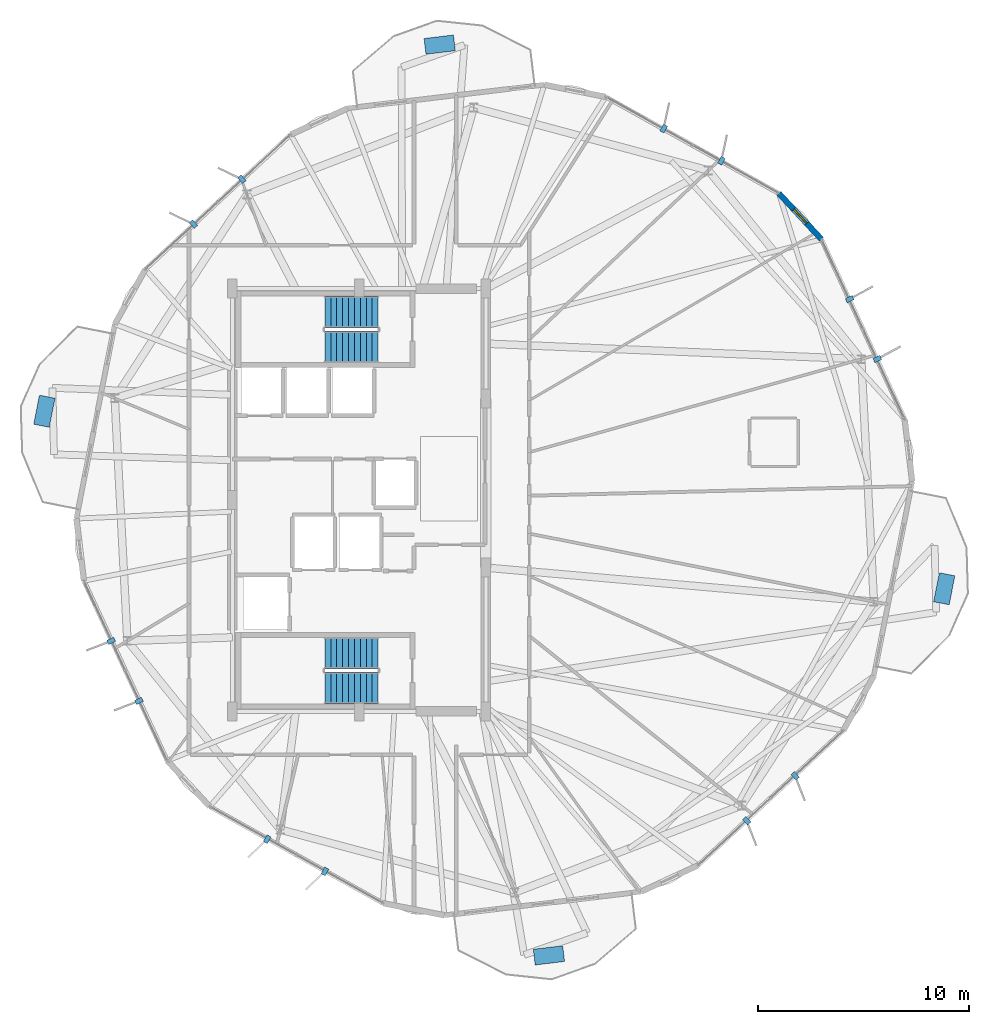
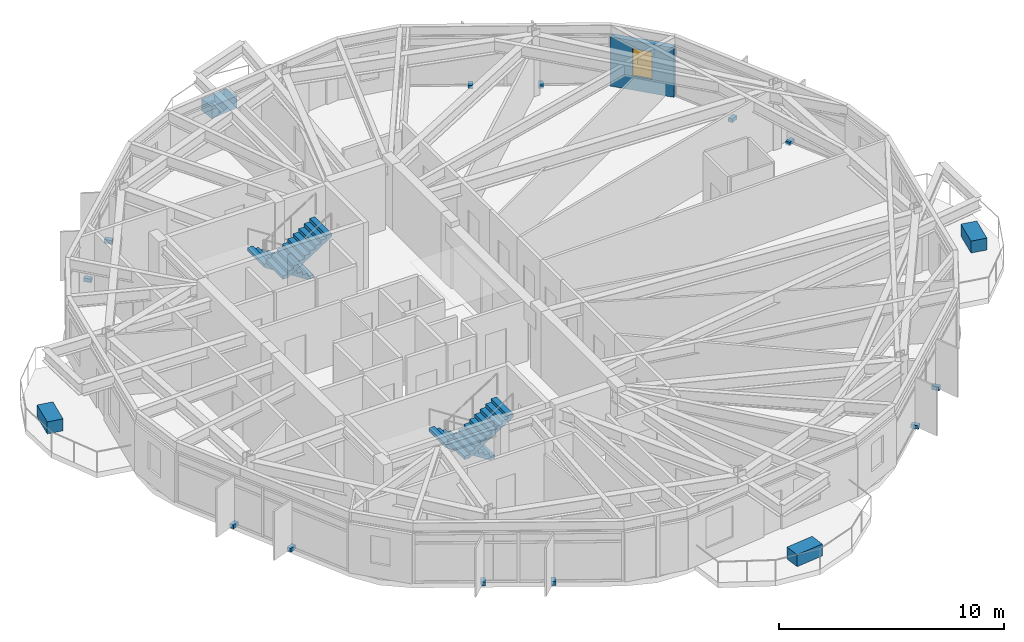
# One storey, part 22 of 25: 16 discrete accessories, 4 stair flights, 1 wall, 1 window, 1 opening, 2 elements without a shape of their own.
"""IFC4 building model written with IfcOpenShell, lengths in metres."""

from ifc_helpers import new_model, si_unit, direction, frame, frame_2d, origin, origin_2d, place, context, subcontext, project, spatial, polyline, rectangle, outline, extrude, material, layer, layer_set, type_object, element, fill, aggregate, save


model = new_model("IFC4")

# Units and contexts
model_context = context("Model", 3, precision=1e-05, world=origin(), true_north=direction((0.0, 1.0)))
body_context = subcontext(model_context, "Body", "Model", "MODEL_VIEW")
ifc_project = project(units=[si_unit("LENGTHUNIT", "METRE"), si_unit("AREAUNIT", "SQUARE_METRE"), si_unit("VOLUMEUNIT", "CUBIC_METRE"), si_unit("PLANEANGLEUNIT", "RADIAN"), si_unit("MASSUNIT", "GRAM", prefix="KILO")], contexts=[model_context])

# Site, building, storey
site_placement = place(None, origin())
site = spatial("IfcSite", under=ifc_project, at=site_placement, CompositionType="ELEMENT")
building_placement = place(site_placement, origin())
building = spatial("IfcBuilding", under=site, at=building_placement, Name="Soratama Intermodal Tower", CompositionType="ELEMENT")
storey_placement = place(building_placement, frame((0.0, 0.0, 190.60009765625)))
storey = spatial("IfcBuildingStorey", under=building, at=storey_placement, Name="L47", CompositionType="ELEMENT", Elevation=190.60009765625)

# Wall, opening, window
ifc_material_1 = material(Name="Concrete f'c 42 MPa", Category="concrete")
ifc_layer_1 = layer(ifc_material_1, 0.27001953125)
ifc_layer_set_1 = layer_set([ifc_layer_1], Name="Concrete f'c 42 MPa")
wall_type = type_object("IfcWallType", Name="EW-CRN-270", PredefinedType="SOLIDWALL", material=ifc_layer_set_1)
wall_placement = place(storey_placement, frame((60.4873046875, 37.338623046875, 0.0), z_axis=(0.0, 0.0, 1.0), x_axis=(-0.679939563614, 0.733268156838, 0.0)))
wall = element("IfcWall", 1, at=wall_placement, inside=storey, type_object=wall_type, Name="L47 Corner Closure Wall 10", PredefinedType="SOLIDWALL", context=body_context, shape_type="SweptSolid", body=[
    extrude(rectangle(XDim=2.966552734375, YDim=0.27001953125, at=frame_2d((1.4833984375, 0.0))), origin(), (0.0, 0.0, 1.0), 2.678955078125),
])
opening_placement = place(wall_placement, frame((1.033203125, 0.0, 0.75)))
opening = element("IfcOpeningElement", 2, at=opening_placement, cuts=wall, Name="Opening WN-6", PredefinedType="OPENING", context=body_context, shape_type="SweptSolid", body=[
    extrude(rectangle(XDim=0.89990234375, YDim=1.5, at=frame_2d((0.449951171875, 0.75))), frame((0.0, 0.14501953125, 0.0), z_axis=(0.0, -1.0, 0.0), x_axis=(1.0, 0.0, 0.0)), (0.0, 0.0, 1.0), 0.2900390625),
])
ifc_material_2 = material(Name="Double-glazed aluminium window", Category="aluminium")
window_type = type_object("IfcWindowType", Name="WN-FAC-900", PartitioningType="SINGLE_PANEL", PredefinedType="WINDOW", material=ifc_material_2)
window_placement = place(opening_placement, origin())
window = element("IfcWindow", 3, at=window_placement, inside=storey, type_object=window_type, Name="L47 Corner Window 10", OverallHeight=1.5, OverallWidth=0.89990234375, PartitioningType="SINGLE_PANEL", PredefinedType="WINDOW", context=body_context, shape_type="SweptSolid", body=[
    extrude(rectangle(XDim=0.89990234375, YDim=1.5, at=frame_2d((0.449951171875, 0.75))), frame((0.0, 0.030029296875, 0.0), z_axis=(0.0, -1.0, 0.0), x_axis=(1.0, 0.0, 0.0)), (0.0, 0.0, 1.0), 0.06005859375),
])
fill(opening, window)

# Stair, stair flights
ifc_material_3 = material(Name="Concrete f'c 42 MPa", Category="concrete")
stair_type = type_object("IfcStairType", Name="ST-CORE-DOGLEG", PredefinedType="HALF_TURN_STAIR", material=ifc_material_3)
stair_1_placement = place(storey_placement, origin())
stair_1 = element("IfcStair", 4, at=stair_1_placement, inside=storey, type_object=stair_type, Name="L47 ST-1", PredefinedType="HALF_TURN_STAIR")
ifc_material_4 = material(Name="Precast concrete f'c 40 MPa", Category="concrete")
ifc_layer_2 = layer(ifc_material_4, 0.199951171875)
ifc_layer_set_2 = layer_set([ifc_layer_2], Name="Precast concrete f'c 40 MPa")
stair_flight_type = type_object("IfcStairFlightType", Name="SF-FLIGHT-RC", PredefinedType="STRAIGHT", material=ifc_layer_set_2)
stair_flight_1_placement = place(storey_placement, frame((39.5, 17.75, 0.0), z_axis=(0.0, 0.0, 1.0), x_axis=(-1.0, 0.0, 0.0)))
stair_flight_1 = element("IfcStairFlight", 5, at=stair_flight_1_placement, type_object=stair_flight_type, Name="ST-1 flight 1", NumberOfRisers=10, NumberOfTreads=9, PredefinedType="STRAIGHT", RiserHeight=0.18, TreadLength=0.28, context=body_context, shape_type="SweptSolid", body=[
    extrude(outline(polyline([(0.0, 0.0), (0.0, 0.179931640625), (0.280029296875, 0.179931640625), (0.280029296875, 0.360107421875), (0.56005859375, 0.360107421875), (0.56005859375, 0.5400390625), (0.840087890625, 0.5400390625), (0.840087890625, 0.719970703125), (1.1201171875, 0.719970703125), (1.1201171875, 0.89990234375), (1.39990234375, 0.89990234375), (1.39990234375, 1.080078125), (1.679931640625, 1.080078125), (1.679931640625, 1.260009765625), (1.9599609375, 1.260009765625), (1.9599609375, 1.43994140625), (2.239990234375, 1.43994140625), (2.239990234375, 1.6201171875), (2.52001953125, 1.6201171875), (2.52001953125, 1.800048828125), (2.52001953125, 1.44189453125), (0.277099609375, 0.0), (0.0, 0.0)])), frame((0.0, 0.75, 0.0), z_axis=(0.0, -1.0, 0.0), x_axis=(1.0, 0.0, 0.0)), (0.0, 0.0, 1.0), 1.5),
])
stair_flight_2_placement = place(storey_placement, frame((36.97998046875, 16.10009765625, 1.7998046875), z_axis=(0.0, 0.0, 1.0), x_axis=(1.0, 0.0, 0.0)))
stair_flight_2 = element("IfcStairFlight", 6, at=stair_flight_2_placement, type_object=stair_flight_type, Name="ST-1 flight 2", NumberOfRisers=10, NumberOfTreads=9, PredefinedType="STRAIGHT", RiserHeight=0.18, TreadLength=0.28, context=body_context, shape_type="SweptSolid", body=[
    extrude(outline(polyline([(0.0, 0.0), (0.0, 0.179931640625), (0.280029296875, 0.179931640625), (0.280029296875, 0.360107421875), (0.56005859375, 0.360107421875), (0.56005859375, 0.5400390625), (0.840087890625, 0.5400390625), (0.840087890625, 0.719970703125), (1.1201171875, 0.719970703125), (1.1201171875, 0.89990234375), (1.39990234375, 0.89990234375), (1.39990234375, 1.080078125), (1.679931640625, 1.080078125), (1.679931640625, 1.260009765625), (1.9599609375, 1.260009765625), (1.9599609375, 1.43994140625), (2.239990234375, 1.43994140625), (2.239990234375, 1.6201171875), (2.52001953125, 1.6201171875), (2.52001953125, 1.800048828125), (2.52001953125, 1.44189453125), (0.277099609375, 0.0), (0.0, 0.0)])), frame((0.0, 0.75, 0.0), z_axis=(0.0, -1.0, 0.0), x_axis=(1.0, 0.0, 0.0)), (0.0, 0.0, 1.0), 1.5),
])
aggregate(stair_1, [stair_flight_1, stair_flight_2])

stair_2_placement = place(storey_placement, origin())
stair_2 = element("IfcStair", 7, at=stair_2_placement, inside=storey, type_object=stair_type, Name="L47 ST-2", PredefinedType="HALF_TURN_STAIR")
stair_flight_3_placement = place(storey_placement, frame((39.5, 33.89990234375, 0.0), z_axis=(0.0, 0.0, 1.0), x_axis=(-1.0, 0.0, 0.0)))
stair_flight_3 = element("IfcStairFlight", 8, at=stair_flight_3_placement, type_object=stair_flight_type, Name="ST-2 flight 1", NumberOfRisers=10, NumberOfTreads=9, PredefinedType="STRAIGHT", RiserHeight=0.18, TreadLength=0.28, context=body_context, shape_type="SweptSolid", body=[
    extrude(outline(polyline([(0.0, 0.0), (0.0, 0.179931640625), (0.280029296875, 0.179931640625), (0.280029296875, 0.360107421875), (0.56005859375, 0.360107421875), (0.56005859375, 0.5400390625), (0.840087890625, 0.5400390625), (0.840087890625, 0.719970703125), (1.1201171875, 0.719970703125), (1.1201171875, 0.89990234375), (1.39990234375, 0.89990234375), (1.39990234375, 1.080078125), (1.679931640625, 1.080078125), (1.679931640625, 1.260009765625), (1.9599609375, 1.260009765625), (1.9599609375, 1.43994140625), (2.239990234375, 1.43994140625), (2.239990234375, 1.6201171875), (2.52001953125, 1.6201171875), (2.52001953125, 1.800048828125), (2.52001953125, 1.44189453125), (0.277099609375, 0.0), (0.0, 0.0)])), frame((0.0, 0.75, 0.0), z_axis=(0.0, -1.0, 0.0), x_axis=(1.0, 0.0, 0.0)), (0.0, 0.0, 1.0), 1.5),
])
stair_flight_4_placement = place(storey_placement, frame((36.97998046875, 32.25, 1.7998046875), z_axis=(0.0, 0.0, 1.0), x_axis=(1.0, 0.0, 0.0)))
stair_flight_4 = element("IfcStairFlight", 9, at=stair_flight_4_placement, type_object=stair_flight_type, Name="ST-2 flight 2", NumberOfRisers=10, NumberOfTreads=9, PredefinedType="STRAIGHT", RiserHeight=0.18, TreadLength=0.28, context=body_context, shape_type="SweptSolid", body=[
    extrude(outline(polyline([(0.0, 0.0), (0.0, 0.179931640625), (0.280029296875, 0.179931640625), (0.280029296875, 0.360107421875), (0.56005859375, 0.360107421875), (0.56005859375, 0.5400390625), (0.840087890625, 0.5400390625), (0.840087890625, 0.719970703125), (1.1201171875, 0.719970703125), (1.1201171875, 0.89990234375), (1.39990234375, 0.89990234375), (1.39990234375, 1.080078125), (1.679931640625, 1.080078125), (1.679931640625, 1.260009765625), (1.9599609375, 1.260009765625), (1.9599609375, 1.43994140625), (2.239990234375, 1.43994140625), (2.239990234375, 1.6201171875), (2.52001953125, 1.6201171875), (2.52001953125, 1.800048828125), (2.52001953125, 1.44189453125), (0.277099609375, 0.0), (0.0, 0.0)])), frame((0.0, 0.75, 0.0), z_axis=(0.0, -1.0, 0.0), x_axis=(1.0, 0.0, 0.0)), (0.0, 0.0, 1.0), 1.5),
])
aggregate(stair_2, [stair_flight_3, stair_flight_4])

# Discrete accessories
ifc_material_5 = material(Name="Structural steel ASTM A992 Grade 50", Category="steel")
discrete_accessory_type_1 = type_object("IfcDiscreteAccessoryType", Name="AC-FIN-BRACKET", PredefinedType="BRACKET", material=ifc_material_5)
for number, where, z_axis, x_axis, name in (
    (10, (55.748779296875, 41.05517578125, -0.080078125), (0.0, 0.0, 1.0), (0.487250125725, 0.87326245481, 0.0), "L47 Fin Bracket F01-1"),
    (11, (53.017822265625, 42.578857421875, -0.080078125), (0.0, 0.0, 1.0), (0.487250125725, 0.87326245481, 0.0), "L47 Fin Bracket F01-2"),
    (12, (33.05224609375, 40.18408203125, -0.080078125), (0.0, 0.0, 1.0), (-0.679953378722, 0.733255346223, 0.0), "L47 Fin Bracket F03-1"),
    (13, (30.759033203125, 38.0576171875, -0.080078125), (0.0, 0.0, 1.0), (-0.679953378722, 0.733255346223, 0.0), "L47 Fin Bracket F03-2"),
    (14, (26.8671875, 18.3291015625, -0.080078125), (0.0, 0.0, 1.0), (-0.907484424541, -0.420085728412, 0.0), "L47 Fin Bracket F05-1"),
    (15, (28.180908203125, 15.4912109375, -0.080078125), (0.0, 0.0, 1.0), (-0.907484424541, -0.420085728412, 0.0), "L47 Fin Bracket F05-2"),
    (16, (34.251220703125, 8.94482421875, -0.080078125), (0.0, 0.0, 1.0), (-0.487250125725, -0.87326245481, 0.0), "L47 Fin Bracket F06-1"),
    (17, (36.982177734375, 7.421142578125, -0.080078125), (0.0, 0.0, 1.0), (-0.487250125725, -0.87326245481, 0.0), "L47 Fin Bracket F06-2"),
    (18, (56.94775390625, 9.81591796875, -0.080078125), (0.0, 0.0, 1.0), (0.679953378722, -0.733255346223, 0.0), "L47 Fin Bracket F08-1"),
    (19, (59.240966796875, 11.9423828125, -0.080078125), (0.0, 0.0, 1.0), (0.679953378722, -0.733255346223, 0.0), "L47 Fin Bracket F08-2"),
    (20, (63.1328125, 31.6708984375, -0.080078125), (0.0, 0.0, 1.0), (0.907484424541, 0.420085728412, 0.0), "L47 Fin Bracket F10-1"),
    (21, (61.819091796875, 34.5087890625, -0.080078125), (0.0, 0.0, 1.0), (0.907484424541, 0.420085728412, 0.0), "L47 Fin Bracket F10-2"),
):
    element("IfcDiscreteAccessory", number, at=place(storey_placement, frame(where, z_axis=z_axis, x_axis=x_axis)), inside=storey, type_object=discrete_accessory_type_1, Name=name, PredefinedType="BRACKET", context=body_context, shape_type="SweptSolid", body=[
        extrude(rectangle(XDim=0.360107421875, YDim=0.219970703125, at=origin_2d()), origin(), (0.0, 0.0, 1.0), 0.199951171875),
    ])
ifc_material_6 = material(Name="Precast concrete f'c 40 MPa", Category="concrete")
discrete_accessory_type_2 = type_object("IfcDiscreteAccessoryType", Name="AC-PLANTER-TREE", PredefinedType="USERDEFINED", material=ifc_material_6)
for number, where, z_axis, x_axis, name in (
    (22, (66.297119140625, 20.798583984375, 0.0), (0.0, 0.0, 1.0), (0.981090517443, -0.193549468051, 0.0), "L47 Tree Planter 1"),
    (23, (42.41455078125, 46.55322265625, 0.0), (0.0, 0.0, 1.0), (-0.119097160095, 0.99288260457, 0.0), "L47 Tree Planter 2"),
    (24, (23.702880859375, 29.201416015625, 0.0), (0.0, 0.0, 1.0), (-0.981090517443, 0.193549468051, 0.0), "L47 Tree Planter 3"),
    (25, (47.58544921875, 3.44677734375, 0.0), (0.0, 0.0, 1.0), (0.119097160095, -0.99288260457, 0.0), "L47 Tree Planter 4"),
):
    element("IfcDiscreteAccessory", number, at=place(storey_placement, frame(where, z_axis=z_axis, x_axis=x_axis)), inside=storey, type_object=discrete_accessory_type_2, Name=name, ObjectType="PLANTER", PredefinedType="USERDEFINED", context=body_context, shape_type="SweptSolid", body=[
        extrude(rectangle(XDim=0.75, YDim=1.39990234375, at=origin_2d()), origin(), (0.0, 0.0, 1.0), 0.64990234375),
    ])

save(model, "model.ifc")
